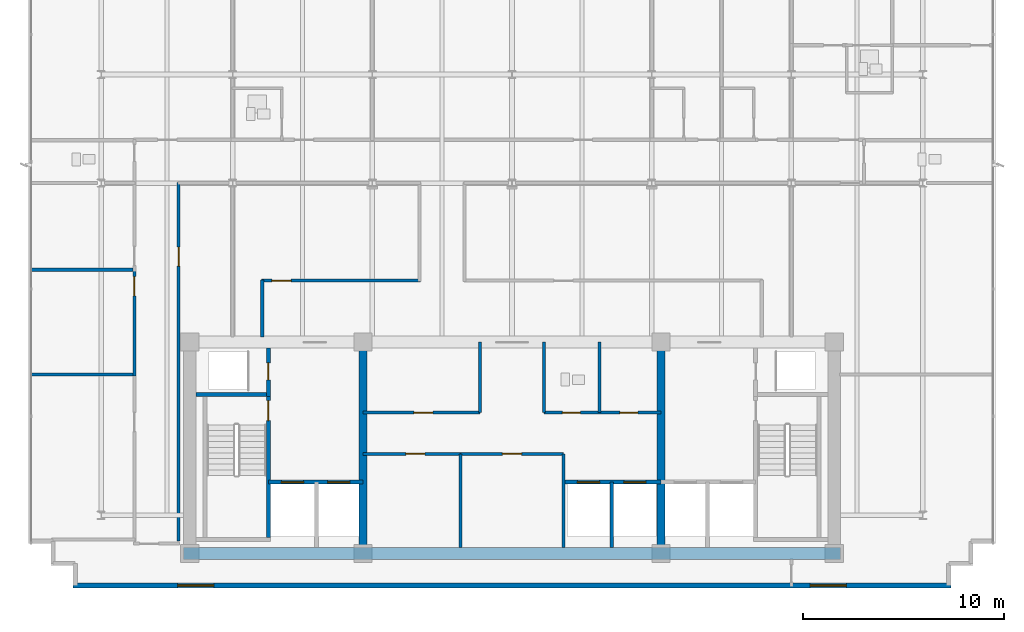
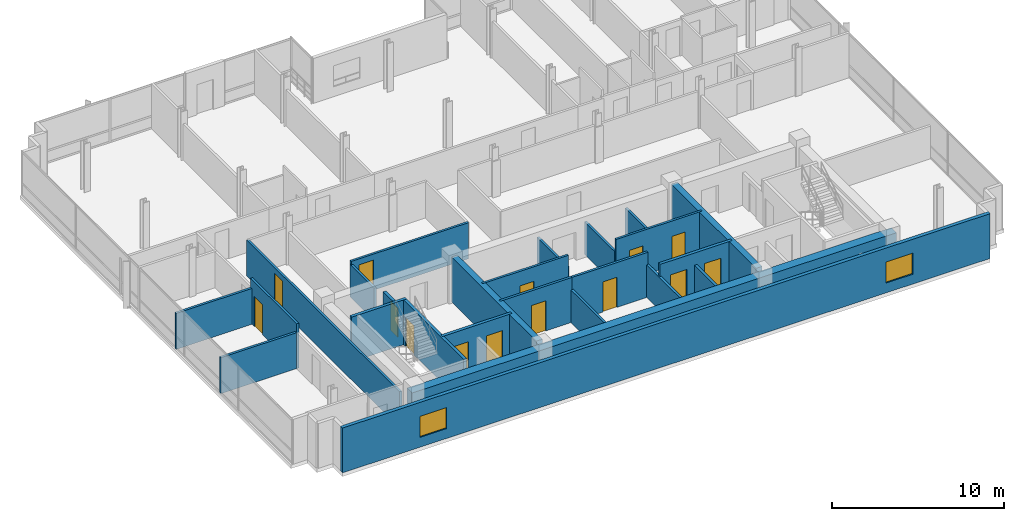
# One storey, part 11 of 17: 25 walls, 14 doors, 2 windows, 16 openings.
"""IFC4 building model written with IfcOpenShell, lengths in metres."""

from ifc_helpers import new_model, si_unit, direction, frame, frame_2d, origin, place, context, subcontext, project, spatial, rectangle, extrude, material, layer, layer_set, type_object, element, fill, save


model = new_model("IFC4")

# Units and contexts
model_context = context("Model", 3, precision=1e-05, world=origin(), true_north=direction((0.0, 1.0)))
body_context = subcontext(model_context, "Body", "Model", "MODEL_VIEW")
ifc_project = project(units=[si_unit("LENGTHUNIT", "METRE"), si_unit("AREAUNIT", "SQUARE_METRE"), si_unit("VOLUMEUNIT", "CUBIC_METRE"), si_unit("PLANEANGLEUNIT", "RADIAN"), si_unit("MASSUNIT", "GRAM", prefix="KILO")], contexts=[model_context])

# Site, building, storey
site_placement = place(None, origin())
site = spatial("IfcSite", under=ifc_project, at=site_placement, CompositionType="ELEMENT")
building_placement = place(site_placement, origin())
building = spatial("IfcBuilding", under=site, at=building_placement, Name="Solmavex Isthmus Hotel", CompositionType="ELEMENT")
storey_placement = place(building_placement, frame((0.0, 0.0, 266.10009765625)))
storey = spatial("IfcBuildingStorey", under=building, at=storey_placement, Name="L72", CompositionType="ELEMENT", Elevation=266.10009765625)

# Wall, openings, windows
ifc_material_1 = material(Name="Precast Concrete C40/50", Category="concrete")
ifc_layer_1 = layer(ifc_material_1, 0.25)
ifc_layer_set_1 = layer_set([ifc_layer_1], Name="Precast Concrete C40/50")
wall_type_1 = type_object("IfcWallType", Name="EW-TWR-250", PredefinedType="STANDARD", material=ifc_layer_set_1)
wall_1_placement = place(storey_placement, frame((-21.800048828125, -14.580078125, 0.0), z_axis=(0.0, 0.0, 1.0), x_axis=(1.0, 0.0, 0.0)))
wall_1 = element("IfcWall", 1, at=wall_1_placement, inside=storey, type_object=wall_type_1, Name="Tower Rear South Facade Wall L72", PredefinedType="STANDARD", context=body_context, shape_type="SweptSolid", body=[
    extrude(rectangle(XDim=43.60009765625, YDim=0.239990234375, at=frame_2d((21.800048828125, 0.0))), origin(), (0.0, 0.0, 1.0), 3.18994140625),
])
opening_1_placement = place(wall_1_placement, frame((5.2041015625, 0.0, 0.699951171875)))
opening_1 = element("IfcOpeningElement", 2, at=opening_1_placement, cuts=wall_1, Name="Opening WN-02", PredefinedType="OPENING", context=body_context, shape_type="SweptSolid", body=[
    extrude(rectangle(XDim=1.800048828125, YDim=1.5, at=frame_2d((0.89990234375, 0.75))), frame((0.0, 0.1298828125, 0.0), z_axis=(0.0, -1.0, 0.0), x_axis=(1.0, 0.0, 0.0)), (0.0, 0.0, 1.0), 0.260009765625),
])
opening_2_placement = place(wall_1_placement, frame((36.595947265625, 0.0, 0.699951171875)))
opening_2 = element("IfcOpeningElement", 3, at=opening_2_placement, cuts=wall_1, Name="Opening WN-02", PredefinedType="OPENING", context=body_context, shape_type="SweptSolid", body=[
    extrude(rectangle(XDim=1.800048828125, YDim=1.5, at=frame_2d((0.89990234375, 0.75))), frame((0.0, 0.1298828125, 0.0), z_axis=(0.0, -1.0, 0.0), x_axis=(1.0, 0.0, 0.0)), (0.0, 0.0, 1.0), 0.260009765625),
])
ifc_material_2 = material(Name="Clear low-E laminated glass", Category="glass")
window_type = type_object("IfcWindowType", Name="WIN-TWR-1800", PartitioningType="SINGLE_PANEL", PredefinedType="WINDOW", material=ifc_material_2)
window_1_placement = place(opening_1_placement, origin())
window_1 = element("IfcWindow", 4, at=window_1_placement, inside=storey, type_object=window_type, Name="South Facade Vision Window L72-S1", OverallHeight=1.5, OverallWidth=1.800048828125, PartitioningType="SINGLE_PANEL", PredefinedType="WINDOW", context=body_context, shape_type="SweptSolid", body=[
    extrude(rectangle(XDim=1.800048828125, YDim=1.5, at=frame_2d((0.89990234375, 0.75))), frame((0.0, 0.030029296875, 0.0), z_axis=(0.0, -1.0, 0.0), x_axis=(1.0, 0.0, 0.0)), (0.0, 0.0, 1.0), 0.06005859375),
])
fill(opening_1, window_1)
window_2_placement = place(opening_2_placement, origin())
window_2 = element("IfcWindow", 5, at=window_2_placement, inside=storey, type_object=window_type, Name="South Facade Vision Window L72-S2", OverallHeight=1.5, OverallWidth=1.800048828125, PartitioningType="SINGLE_PANEL", PredefinedType="WINDOW", context=body_context, shape_type="SweptSolid", body=[
    extrude(rectangle(XDim=1.800048828125, YDim=1.5, at=frame_2d((0.89990234375, 0.75))), frame((0.0, 0.030029296875, 0.0), z_axis=(0.0, -1.0, 0.0), x_axis=(1.0, 0.0, 0.0)), (0.0, 0.0, 1.0), 0.06005859375),
])
fill(opening_2, window_2)

# Wall, opening, door
ifc_material_3 = material(Name="Gypsum plasterboard lining", Category="gypsum")
ifc_layer_2 = layer(ifc_material_3, 0.159912109375)
ifc_layer_set_2 = layer_set([ifc_layer_2], Name="Gypsum plasterboard lining")
wall_type_2 = type_object("IfcWallType", Name="IW-COMP-160", PredefinedType="PARTITIONING", material=ifc_layer_set_2)
wall_2_placement = place(storey_placement, frame((-7.39990234375, -8.050048828125, 0.0), z_axis=(0.0, 0.0, 1.0), x_axis=(1.0, 0.0, 0.0)))
wall_2 = element("IfcWall", 6, at=wall_2_placement, inside=storey, type_object=wall_type_2, Name="Interior Partition Wall W-L72-REC-PLL-N", PredefinedType="PARTITIONING", context=body_context, shape_type="SweptSolid", body=[
    extrude(rectangle(XDim=4.849853515625, YDim=0.159912109375, at=frame_2d((2.4248046875, 0.0))), origin(), (0.0, 0.0, 1.0), 3.18994140625),
])
opening_3_placement = place(wall_2_placement, frame((2.125, 0.0, 0.0)))
opening_3 = element("IfcOpeningElement", 7, at=opening_3_placement, cuts=wall_2, Name="Opening ID-C095", PredefinedType="OPENING", context=body_context, shape_type="SweptSolid", body=[
    extrude(rectangle(XDim=0.949951171875, YDim=2.14990234375, at=frame_2d((0.47509765625, 1.074951171875))), frame((0.0, 0.08984375, 0.0), z_axis=(0.0, -1.0, 0.0), x_axis=(1.0, 0.0, 0.0)), (0.0, 0.0, 1.0), 0.179931640625),
])
ifc_material_4 = material(Name="Hardwood timber", Category="wood")
door_type_1 = type_object("IfcDoorType", Name="IDR-FD60-0950", OperationType="NOTDEFINED", PredefinedType="DOOR", material=ifc_material_4)
door_1_placement = place(opening_3_placement, origin())
door_1 = element("IfcDoor", 8, at=door_1_placement, inside=storey, type_object=door_type_1, Name="Linen Reserve Door L72", OperationType="SINGLE_SWING_LEFT", OverallHeight=2.14990234375, OverallWidth=0.949951171875, PredefinedType="DOOR", context=body_context, shape_type="SweptSolid", body=[
    extrude(rectangle(XDim=0.949951171875, YDim=2.14990234375, at=frame_2d((0.47509765625, 1.074951171875))), frame((0.0, 0.02490234375, 0.0), z_axis=(0.0, -1.0, 0.0), x_axis=(1.0, 0.0, 0.0)), (0.0, 0.0, 1.0), 0.050048828125),
])
fill(opening_3, door_1)

# Wall
wall_3_placement = place(storey_placement, frame((-2.550048828125, -12.699951171875, 0.0), z_axis=(0.0, 0.0, 1.0), x_axis=(0.0, 1.0, 0.0)))
element("IfcWall", 9, at=wall_3_placement, inside=storey, type_object=wall_type_2, Name="Interior Partition Wall W-L72-REC-PLL-E", PredefinedType="PARTITIONING", context=body_context, shape_type="SweptSolid", body=[
    extrude(rectangle(XDim=4.64990234375, YDim=0.159912109375, at=frame_2d((2.324951171875, 0.0))), origin(), (0.0, 0.0, 1.0), 2.324951171875),
])

# Wall, opening, door
wall_4_placement = place(storey_placement, frame((-2.550048828125, -8.050048828125, 0.0), z_axis=(0.0, 0.0, 1.0), x_axis=(1.0, 0.0, 0.0)))
wall_4 = element("IfcWall", 10, at=wall_4_placement, inside=storey, type_object=wall_type_2, Name="Interior Partition Wall W-L72-REC-PLM-N", PredefinedType="PARTITIONING", context=body_context, shape_type="SweptSolid", body=[
    extrude(rectangle(XDim=5.10009765625, YDim=0.159912109375, at=frame_2d((2.550048828125, 0.0))), origin(), (0.0, 0.0, 1.0), 3.18994140625),
])
opening_4_placement = place(wall_4_placement, frame((2.074951171875, 0.0, 0.0)))
opening_4 = element("IfcOpeningElement", 11, at=opening_4_placement, cuts=wall_4, Name="Opening ID-C095", PredefinedType="OPENING", context=body_context, shape_type="SweptSolid", body=[
    extrude(rectangle(XDim=0.949951171875, YDim=2.14990234375, at=frame_2d((0.47509765625, 1.074951171875))), frame((0.0, 0.08984375, 0.0), z_axis=(0.0, -1.0, 0.0), x_axis=(1.0, 0.0, 0.0)), (0.0, 0.0, 1.0), 0.179931640625),
])
door_2_placement = place(opening_4_placement, origin())
door_2 = element("IfcDoor", 12, at=door_2_placement, inside=storey, type_object=door_type_1, Name="Butler Store Door L72", OperationType="SINGLE_SWING_RIGHT", OverallHeight=2.14990234375, OverallWidth=0.949951171875, PredefinedType="DOOR", context=body_context, shape_type="SweptSolid", body=[
    extrude(rectangle(XDim=0.949951171875, YDim=2.14990234375, at=frame_2d((0.47509765625, 1.074951171875))), frame((0.0, 0.02490234375, 0.0), z_axis=(0.0, -1.0, 0.0), x_axis=(1.0, 0.0, 0.0)), (0.0, 0.0, 1.0), 0.050048828125),
])
fill(opening_4, door_2)

# Walls
wall_5_placement = place(storey_placement, frame((2.550048828125, -12.699951171875, 0.0), z_axis=(0.0, 0.0, 1.0), x_axis=(0.0, 1.0, 0.0)))
element("IfcWall", 13, at=wall_5_placement, inside=storey, type_object=wall_type_2, Name="Interior Partition Wall W-L72-REC-PLM-E", PredefinedType="PARTITIONING", context=body_context, shape_type="SweptSolid", body=[
    extrude(rectangle(XDim=4.64990234375, YDim=0.159912109375, at=frame_2d((2.324951171875, 0.0))), origin(), (0.0, 0.0, 1.0), 2.324951171875),
])
for number, where, z_axis, x_axis, name in (
    (14, (-18.7099609375, 1.10009765625, 0.0), (0.0, 0.0, 1.0), (-1.0, 0.0, 0.0), "Interior Partition Wall W-L72-P067"),
    (15, (-18.7099609375, -4.10009765625, 0.0), (0.0, 0.0, 1.0), (-1.0, 0.0, 0.0), "Interior Partition Wall W-L72-P069"),
):
    element("IfcWall", number, at=place(storey_placement, frame(where, z_axis=z_axis, x_axis=x_axis)), inside=storey, type_object=wall_type_2, Name=name, PredefinedType="PARTITIONING", context=body_context, shape_type="SweptSolid", body=[
        extrude(rectangle(XDim=5.2099609375, YDim=0.159912109375, at=frame_2d((2.60498046875, 0.0))), origin(), (0.0, 0.0, 1.0), 2.557373046875),
    ])

# Wall, opening, door
ifc_layer_3 = layer(ifc_material_3, 0.14990234375)
ifc_layer_set_3 = layer_set([ifc_layer_3], Name="Gypsum plasterboard lining")
wall_type_3 = type_object("IfcWallType", Name="IW-CORR-150", PredefinedType="PARTITIONING", material=ifc_layer_set_3)
wall_6_placement = place(storey_placement, frame((-7.39990234375, -6.0, 0.0), z_axis=(0.0, 0.0, 1.0), x_axis=(1.0, 0.0, 0.0)))
wall_6 = element("IfcWall", 16, at=wall_6_placement, inside=storey, type_object=wall_type_3, Name="Interior Partition Wall W-L72-BOH-WS", PredefinedType="PARTITIONING", context=body_context, shape_type="SweptSolid", body=[
    extrude(rectangle(XDim=5.7998046875, YDim=0.14990234375, at=frame_2d((2.89990234375, 0.0))), origin(), (0.0, 0.0, 1.0), 3.18994140625),
])
opening_5_placement = place(wall_6_placement, frame((2.52490234375, 0.0, 0.0)))
opening_5 = element("IfcOpeningElement", 17, at=opening_5_placement, cuts=wall_6, Name="Opening ID-C095", PredefinedType="OPENING", context=body_context, shape_type="SweptSolid", body=[
    extrude(rectangle(XDim=0.949951171875, YDim=2.14990234375, at=frame_2d((0.47509765625, 1.074951171875))), frame((0.0, 0.0849609375, 0.0), z_axis=(0.0, -1.0, 0.0), x_axis=(1.0, 0.0, 0.0)), (0.0, 0.0, 1.0), 0.169921875),
])
door_3_placement = place(opening_5_placement, frame((0.949951171875, 0.0, 0.0), z_axis=(0.0, 0.0, 1.0), x_axis=(-1.0, 0.0, 0.0)))
door_3 = element("IfcDoor", 18, at=door_3_placement, inside=storey, type_object=door_type_1, Name="Housekeeping Room Door L72", OperationType="SINGLE_SWING_LEFT", OverallHeight=2.14990234375, OverallWidth=0.949951171875, PredefinedType="DOOR", context=body_context, shape_type="SweptSolid", body=[
    extrude(rectangle(XDim=0.949951171875, YDim=2.14990234375, at=frame_2d((0.47509765625, 1.074951171875))), frame((0.0, 0.02490234375, 0.0), z_axis=(0.0, -1.0, 0.0), x_axis=(1.0, 0.0, 0.0)), (0.0, 0.0, 1.0), 0.050048828125),
])
fill(opening_5, door_3)

# Wall
wall_7_placement = place(storey_placement, frame((-1.60009765625, -6.0, 0.0), z_axis=(0.0, 0.0, 1.0), x_axis=(0.0, 1.0, 0.0)))
element("IfcWall", 19, at=wall_7_placement, inside=storey, type_object=wall_type_3, Name="Interior Partition Wall W-L72-BOH-WE", PredefinedType="PARTITIONING", context=body_context, shape_type="SweptSolid", body=[
    extrude(rectangle(XDim=3.5, YDim=0.14990234375, at=frame_2d((1.75, 0.0))), origin(), (0.0, 0.0, 1.0), 2.324951171875),
])

# Wall, openings, doors
wall_8_placement = place(storey_placement, frame((1.60009765625, -6.0, 0.0), z_axis=(0.0, 0.0, 1.0), x_axis=(1.0, 0.0, 0.0)))
wall_8 = element("IfcWall", 20, at=wall_8_placement, inside=storey, type_object=wall_type_3, Name="Interior Partition Wall W-L72-BOH-ES", PredefinedType="PARTITIONING", context=body_context, shape_type="SweptSolid", body=[
    extrude(rectangle(XDim=5.7998046875, YDim=0.14990234375, at=frame_2d((2.89990234375, 0.0))), origin(), (0.0, 0.0, 1.0), 3.18994140625),
])
opening_6_placement = place(wall_8_placement, frame((0.89990234375, 0.0, 0.0)))
opening_6 = element("IfcOpeningElement", 21, at=opening_6_placement, cuts=wall_8, Name="Opening ID-C090", PredefinedType="OPENING", context=body_context, shape_type="SweptSolid", body=[
    extrude(rectangle(XDim=0.89990234375, YDim=2.10009765625, at=frame_2d((0.449951171875, 1.050048828125))), frame((0.0, 0.0849609375, 0.0), z_axis=(0.0, -1.0, 0.0), x_axis=(1.0, 0.0, 0.0)), (0.0, 0.0, 1.0), 0.169921875),
])
opening_7_placement = place(wall_8_placement, frame((3.75, 0.0, 0.0)))
opening_7 = element("IfcOpeningElement", 22, at=opening_7_placement, cuts=wall_8, Name="Opening ID-C090", PredefinedType="OPENING", context=body_context, shape_type="SweptSolid", body=[
    extrude(rectangle(XDim=0.89990234375, YDim=2.10009765625, at=frame_2d((0.449951171875, 1.050048828125))), frame((0.0, 0.0849609375, 0.0), z_axis=(0.0, -1.0, 0.0), x_axis=(1.0, 0.0, 0.0)), (0.0, 0.0, 1.0), 0.169921875),
])
door_type_2 = type_object("IfcDoorType", Name="IDR-FD60-0900", OperationType="NOTDEFINED", PredefinedType="DOOR", material=ifc_material_4)
door_4_placement = place(opening_6_placement, frame((0.89990234375, 0.0, 0.0), z_axis=(0.0, 0.0, 1.0), x_axis=(-1.0, 0.0, 0.0)))
door_4 = element("IfcDoor", 23, at=door_4_placement, inside=storey, type_object=door_type_2, Name="Staff WC Door L72", OperationType="SINGLE_SWING_RIGHT", OverallHeight=2.10009765625, OverallWidth=0.89990234375, PredefinedType="DOOR", context=body_context, shape_type="SweptSolid", body=[
    extrude(rectangle(XDim=0.89990234375, YDim=2.10009765625, at=frame_2d((0.449951171875, 1.050048828125))), frame((0.0, 0.02490234375, 0.0), z_axis=(0.0, -1.0, 0.0), x_axis=(1.0, 0.0, 0.0)), (0.0, 0.0, 1.0), 0.050048828125),
])
fill(opening_6, door_4)
door_5_placement = place(opening_7_placement, frame((0.89990234375, 0.0, 0.0), z_axis=(0.0, 0.0, 1.0), x_axis=(-1.0, 0.0, 0.0)))
door_5 = element("IfcDoor", 24, at=door_5_placement, inside=storey, type_object=door_type_2, Name="Pantry Door L72", OperationType="SINGLE_SWING_LEFT", OverallHeight=2.10009765625, OverallWidth=0.89990234375, PredefinedType="DOOR", context=body_context, shape_type="SweptSolid", body=[
    extrude(rectangle(XDim=0.89990234375, YDim=2.10009765625, at=frame_2d((0.449951171875, 1.050048828125))), frame((0.0, 0.02490234375, 0.0), z_axis=(0.0, -1.0, 0.0), x_axis=(1.0, 0.0, 0.0)), (0.0, 0.0, 1.0), 0.050048828125),
])
fill(opening_7, door_5)

# Wall
wall_9_placement = place(storey_placement, frame((1.60009765625, -6.0, 0.0), z_axis=(0.0, 0.0, 1.0), x_axis=(0.0, 1.0, 0.0)))
element("IfcWall", 25, at=wall_9_placement, inside=storey, type_object=wall_type_3, Name="Interior Partition Wall W-L72-BOH-EW", PredefinedType="PARTITIONING", context=body_context, shape_type="SweptSolid", body=[
    extrude(rectangle(XDim=3.5, YDim=0.14990234375, at=frame_2d((1.75, 0.0))), origin(), (0.0, 0.0, 1.0), 2.324951171875),
])

# Wall, opening, door
wall_10_placement = place(storey_placement, frame((-16.550048828125, 5.43994140625, 0.0), z_axis=(0.0, 0.0, 1.0), x_axis=(0.0, -1.0, 0.0)))
wall_10 = element("IfcWall", 26, at=wall_10_placement, inside=storey, type_object=wall_type_3, Name="Interior Partition Wall W-L72-P014", PredefinedType="PARTITIONING", context=body_context, shape_type="SweptSolid", body=[
    extrude(rectangle(XDim=17.822021484375, YDim=0.14990234375, at=frame_2d((8.9111328125, 0.0))), origin(), (0.0, 0.0, 1.0), 2.557373046875),
])
opening_8_placement = place(wall_10_placement, frame((3.219970703125, 0.0, 0.0)))
opening_8 = element("IfcOpeningElement", 27, at=opening_8_placement, cuts=wall_10, Name="Opening ID-C095", PredefinedType="OPENING", context=body_context, shape_type="SweptSolid", body=[
    extrude(rectangle(XDim=0.949951171875, YDim=2.14990234375, at=frame_2d((0.47509765625, 1.074951171875))), frame((0.0, 0.0849609375, 0.0), z_axis=(0.0, -1.0, 0.0), x_axis=(1.0, 0.0, 0.0)), (0.0, 0.0, 1.0), 0.169921875),
])
door_6_placement = place(opening_8_placement, frame((0.949951171875, 0.0, 0.0), z_axis=(0.0, 0.0, 1.0), x_axis=(-1.0, 0.0, 0.0)))
door_6 = element("IfcDoor", 28, at=door_6_placement, inside=storey, type_object=door_type_1, Name="Executive Boardroom Door L72-16", OperationType="SINGLE_SWING_RIGHT", OverallHeight=2.14990234375, OverallWidth=0.949951171875, PredefinedType="DOOR", context=body_context, shape_type="SweptSolid", body=[
    extrude(rectangle(XDim=0.949951171875, YDim=2.14990234375, at=frame_2d((0.47509765625, 1.074951171875))), frame((0.0, 0.02490234375, 0.0), z_axis=(0.0, -1.0, 0.0), x_axis=(1.0, 0.0, 0.0)), (0.0, 0.0, 1.0), 0.050048828125),
])
fill(opening_8, door_6)

wall_11_placement = place(storey_placement, frame((-18.75, -4.181884765625, 0.0), z_axis=(0.0, 0.0, 1.0), x_axis=(0.0, 1.0, 0.0)))
wall_11 = element("IfcWall", 29, at=wall_11_placement, inside=storey, type_object=wall_type_3, Name="Interior Partition Wall W-L72-P015", PredefinedType="PARTITIONING", context=body_context, shape_type="SweptSolid", body=[
    extrude(rectangle(XDim=5.36376953125, YDim=0.14990234375, at=frame_2d((2.681884765625, 0.0))), origin(), (0.0, 0.0, 1.0), 3.18994140625),
])
opening_9_placement = place(wall_11_placement, frame((3.982421875, 0.0, 0.0)))
opening_9 = element("IfcOpeningElement", 30, at=opening_9_placement, cuts=wall_11, Name="Opening ID-C095", PredefinedType="OPENING", context=body_context, shape_type="SweptSolid", body=[
    extrude(rectangle(XDim=0.949951171875, YDim=2.14990234375, at=frame_2d((0.47509765625, 1.074951171875))), frame((0.0, 0.0849609375, 0.0), z_axis=(0.0, -1.0, 0.0), x_axis=(1.0, 0.0, 0.0)), (0.0, 0.0, 1.0), 0.169921875),
])
door_7_placement = place(opening_9_placement, origin())
door_7 = element("IfcDoor", 31, at=door_7_placement, inside=storey, type_object=door_type_1, Name="Reading Library Door L72-17", OperationType="SINGLE_SWING_LEFT", OverallHeight=2.14990234375, OverallWidth=0.949951171875, PredefinedType="DOOR", context=body_context, shape_type="SweptSolid", body=[
    extrude(rectangle(XDim=0.949951171875, YDim=2.14990234375, at=frame_2d((0.47509765625, 1.074951171875))), frame((0.0, 0.02490234375, 0.0), z_axis=(0.0, -1.0, 0.0), x_axis=(1.0, 0.0, 0.0)), (0.0, 0.0, 1.0), 0.050048828125),
])
fill(opening_9, door_7)

# Wall
wall_12_placement = place(storey_placement, frame((-12.39990234375, -2.239990234375, 0.0), z_axis=(0.0, 0.0, 1.0), x_axis=(0.0, 1.0, 0.0)))
element("IfcWall", 32, at=wall_12_placement, inside=storey, type_object=wall_type_3, Name="Interior Partition Wall W-L72-P017", PredefinedType="PARTITIONING", context=body_context, shape_type="SweptSolid", body=[
    extrude(rectangle(XDim=2.830078125, YDim=0.14990234375, at=frame_2d((1.4150390625, 0.0))), origin(), (0.0, 0.0, 1.0), 2.324951171875),
])

# Wall, opening, door
wall_13_placement = place(storey_placement, frame((-12.43994140625, 0.550048828125, 0.0), z_axis=(0.0, 0.0, 1.0), x_axis=(1.0, 0.0, 0.0)))
wall_13 = element("IfcWall", 33, at=wall_13_placement, inside=storey, type_object=wall_type_3, Name="Interior Partition Wall W-L72-P018", PredefinedType="PARTITIONING", context=body_context, shape_type="SweptSolid", body=[
    extrude(rectangle(XDim=7.891845703125, YDim=0.14990234375, at=frame_2d((3.94580078125, 0.0))), origin(), (0.0, 0.0, 1.0), 2.572265625),
])
opening_10_placement = place(wall_13_placement, frame((0.51806640625, 0.0, 0.0)))
opening_10 = element("IfcOpeningElement", 34, at=opening_10_placement, cuts=wall_13, Name="Opening ID-C095", PredefinedType="OPENING", context=body_context, shape_type="SweptSolid", body=[
    extrude(rectangle(XDim=0.949951171875, YDim=2.14990234375, at=frame_2d((0.47509765625, 1.074951171875))), frame((0.0, 0.0849609375, 0.0), z_axis=(0.0, -1.0, 0.0), x_axis=(1.0, 0.0, 0.0)), (0.0, 0.0, 1.0), 0.169921875),
])
door_8_placement = place(opening_10_placement, origin())
door_8 = element("IfcDoor", 35, at=door_8_placement, inside=storey, type_object=door_type_1, Name="Reading Library Door L72-19", OperationType="SINGLE_SWING_LEFT", OverallHeight=2.14990234375, OverallWidth=0.949951171875, PredefinedType="DOOR", context=body_context, shape_type="SweptSolid", body=[
    extrude(rectangle(XDim=0.949951171875, YDim=2.14990234375, at=frame_2d((0.47509765625, 1.074951171875))), frame((0.0, 0.02490234375, 0.0), z_axis=(0.0, -1.0, 0.0), x_axis=(1.0, 0.0, 0.0)), (0.0, 0.0, 1.0), 0.050048828125),
])
fill(opening_10, door_8)

# Walls
ifc_layer_4 = layer(ifc_material_3, 0.1201171875)
ifc_layer_set_4 = layer_set([ifc_layer_4], Name="Gypsum plasterboard lining")
wall_type_4 = type_object("IfcWallType", Name="IW-PART-120", PredefinedType="PARTITIONING", material=ifc_layer_set_4)
wall_14_placement = place(storey_placement, frame((4.35009765625, -6.0, 0.0), z_axis=(0.0, 0.0, 1.0), x_axis=(0.0, 1.0, 0.0)))
element("IfcWall", 36, at=wall_14_placement, inside=storey, type_object=wall_type_4, Name="Interior Partition Wall W-L72-BOH-EM0", PredefinedType="PARTITIONING", context=body_context, shape_type="SweptSolid", body=[
    extrude(rectangle(XDim=3.5, YDim=0.14990234375, at=frame_2d((1.75, 0.0))), origin(), (0.0, 0.0, 1.0), 2.324951171875),
])
ifc_material_5 = material(Name="Concrete C40/50", Category="concrete")
ifc_layer_5 = layer(ifc_material_5, 0.179931640625)
ifc_layer_set_5 = layer_set([ifc_layer_5], Name="Concrete C40/50")
wall_type_5 = type_object("IfcWallType", Name="IW-SHAFT-180", PredefinedType="PARTITIONING", material=ifc_layer_set_5)
wall_15_placement = place(storey_placement, frame((4.949951171875, -12.699951171875, 0.0), z_axis=(0.0, 0.0, 1.0), x_axis=(0.0, 1.0, 0.0)))
element("IfcWall", 37, at=wall_15_placement, inside=storey, type_object=wall_type_5, Name="Interior Partition Wall W-L72-SH-PLH-M", PredefinedType="PARTITIONING", context=body_context, shape_type="SweptSolid", body=[
    extrude(rectangle(XDim=3.25, YDim=0.179931640625, at=frame_2d((1.625, 0.0))), origin(), (0.0, 0.0, 1.0), 2.324951171875),
])

# Wall, opening, door
ifc_layer_6 = layer(ifc_material_5, 0.199951171875)
ifc_layer_set_6 = layer_set([ifc_layer_6], Name="Concrete C40/50")
wall_type_6 = type_object("IfcWallType", Name="IW-SHAFT-200", PredefinedType="PARTITIONING", material=ifc_layer_set_6)
wall_16_placement = place(storey_placement, frame((-12.10009765625, -5.199951171875, 0.0), z_axis=(0.0, 0.0, 1.0), x_axis=(0.0, 1.0, 0.0)))
wall_16 = element("IfcWall", 38, at=wall_16_placement, inside=storey, type_object=wall_type_6, Name="Interior Partition Wall W-L72-RSW-E", PredefinedType="PARTITIONING", context=body_context, shape_type="SweptSolid", body=[
    extrude(rectangle(XDim=2.39990234375, YDim=0.199951171875, at=frame_2d((1.199951171875, 0.0))), origin(), (0.0, 0.0, 1.0), 2.324951171875),
])
opening_11_placement = place(wall_16_placement, frame((0.824951171875, 0.0, 0.0)))
opening_11 = element("IfcOpeningElement", 39, at=opening_11_placement, cuts=wall_16, Name="Opening ID-R085", PredefinedType="OPENING", context=body_context, shape_type="SweptSolid", body=[
    extrude(rectangle(XDim=0.85009765625, YDim=2.050048828125, at=frame_2d((0.425048828125, 1.02490234375))), frame((0.0, 0.10986328125, 0.0), z_axis=(0.0, -1.0, 0.0), x_axis=(1.0, 0.0, 0.0)), (0.0, 0.0, 1.0), 0.219970703125),
])
ifc_material_6 = material(Name="Steel ASTM A500 Grade C", Category="steel")
door_type_3 = type_object("IfcDoorType", Name="IDR-FD60-0850", OperationType="NOTDEFINED", PredefinedType="DOOR", material=ifc_material_6)
door_9_placement = place(opening_11_placement, origin())
door_9 = element("IfcDoor", 40, at=door_9_placement, inside=storey, type_object=door_type_3, Name="Electrical Riser Door L72", OperationType="SINGLE_SWING_RIGHT", OverallHeight=2.050048828125, OverallWidth=0.85009765625, PredefinedType="DOOR", context=body_context, shape_type="SweptSolid", body=[
    extrude(rectangle(XDim=0.85009765625, YDim=2.050048828125, at=frame_2d((0.425048828125, 1.02490234375))), frame((0.0, 0.02490234375, 0.0), z_axis=(0.0, -1.0, 0.0), x_axis=(1.0, 0.0, 0.0)), (0.0, 0.0, 1.0), 0.050048828125),
])
fill(opening_11, door_9)

# Wall, openings, doors
wall_17_placement = place(storey_placement, frame((-12.10009765625, -9.449951171875, 0.0), z_axis=(0.0, 0.0, 1.0), x_axis=(1.0, 0.0, 0.0)))
wall_17 = element("IfcWall", 41, at=wall_17_placement, inside=storey, type_object=wall_type_6, Name="Interior Partition Wall W-L72-FFLW-S", PredefinedType="PARTITIONING", context=body_context, shape_type="SweptSolid", body=[
    extrude(rectangle(XDim=4.7001953125, YDim=0.199951171875, at=frame_2d((2.35009765625, 0.0))), origin(), (0.0, 0.0, 1.0), 3.18994140625),
])
opening_12_placement = place(wall_17_placement, frame((0.64990234375, 0.0, 0.0)))
opening_12 = element("IfcOpeningElement", 42, at=opening_12_placement, cuts=wall_17, Name="Opening LD-FF", PredefinedType="OPENING", context=body_context, shape_type="SweptSolid", body=[
    extrude(rectangle(XDim=1.10009765625, YDim=2.199951171875, at=frame_2d((0.550048828125, 1.10009765625))), frame((0.0, 0.10986328125, 0.0), z_axis=(0.0, -1.0, 0.0), x_axis=(1.0, 0.0, 0.0)), (0.0, 0.0, 1.0), 0.219970703125),
])
opening_13_placement = place(wall_17_placement, frame((2.949951171875, 0.0, 0.0)))
opening_13 = element("IfcOpeningElement", 43, at=opening_13_placement, cuts=wall_17, Name="Opening LD-SV", PredefinedType="OPENING", context=body_context, shape_type="SweptSolid", body=[
    extrude(rectangle(XDim=1.10009765625, YDim=2.199951171875, at=frame_2d((0.550048828125, 1.10009765625))), frame((0.0, 0.10986328125, 0.0), z_axis=(0.0, -1.0, 0.0), x_axis=(1.0, 0.0, 0.0)), (0.0, 0.0, 1.0), 0.219970703125),
])
ifc_material_7 = material(Name="Stainless steel 316", Category="steel")
door_type_4 = type_object("IfcDoorType", Name="LDR-FF-1100", OperationType="NOTDEFINED", PredefinedType="DOOR", material=ifc_material_7)
door_10_placement = place(opening_12_placement, origin())
door_10 = element("IfcDoor", 44, at=door_10_placement, inside=storey, type_object=door_type_4, Name="Lift Landing Door FFL-1 L72", OperationType="SLIDING_TO_LEFT", OverallHeight=2.199951171875, OverallWidth=1.10009765625, PredefinedType="DOOR", context=body_context, shape_type="SweptSolid", body=[
    extrude(rectangle(XDim=1.10009765625, YDim=2.199951171875, at=frame_2d((0.550048828125, 1.10009765625))), frame((0.0, 0.02490234375, 0.0), z_axis=(0.0, -1.0, 0.0), x_axis=(1.0, 0.0, 0.0)), (0.0, 0.0, 1.0), 0.050048828125),
])
fill(opening_12, door_10)
door_type_5 = type_object("IfcDoorType", Name="LDR-SV-1100", OperationType="NOTDEFINED", PredefinedType="DOOR", material=ifc_material_7)
door_11_placement = place(opening_13_placement, origin())
door_11 = element("IfcDoor", 45, at=door_11_placement, inside=storey, type_object=door_type_5, Name="Lift Landing Door SVL-1 L72", OperationType="SLIDING_TO_RIGHT", OverallHeight=2.199951171875, OverallWidth=1.10009765625, PredefinedType="DOOR", context=body_context, shape_type="SweptSolid", body=[
    extrude(rectangle(XDim=1.10009765625, YDim=2.199951171875, at=frame_2d((0.550048828125, 1.10009765625))), frame((0.0, 0.02490234375, 0.0), z_axis=(0.0, -1.0, 0.0), x_axis=(1.0, 0.0, 0.0)), (0.0, 0.0, 1.0), 0.050048828125),
])
fill(opening_13, door_11)

wall_18_placement = place(storey_placement, frame((2.550048828125, -9.449951171875, 0.0), z_axis=(0.0, 0.0, 1.0), x_axis=(1.0, 0.0, 0.0)))
wall_18 = element("IfcWall", 46, at=wall_18_placement, inside=storey, type_object=wall_type_6, Name="Interior Partition Wall W-L72-SH-PLH", PredefinedType="PARTITIONING", context=body_context, shape_type="SweptSolid", body=[
    extrude(rectangle(XDim=4.849853515625, YDim=0.199951171875, at=frame_2d((2.4248046875, 0.0))), origin(), (0.0, 0.0, 1.0), 3.18994140625),
])
opening_14_placement = place(wall_18_placement, frame((0.699951171875, 0.0, 0.0)))
opening_14 = element("IfcOpeningElement", 47, at=opening_14_placement, cuts=wall_18, Name="Opening LD-PL", PredefinedType="OPENING", context=body_context, shape_type="SweptSolid", body=[
    extrude(rectangle(XDim=1.10009765625, YDim=2.199951171875, at=frame_2d((0.550048828125, 1.10009765625))), frame((0.0, 0.10986328125, 0.0), z_axis=(0.0, -1.0, 0.0), x_axis=(1.0, 0.0, 0.0)), (0.0, 0.0, 1.0), 0.219970703125),
])
opening_15_placement = place(wall_18_placement, frame((3.0, 0.0, 0.0)))
opening_15 = element("IfcOpeningElement", 48, at=opening_15_placement, cuts=wall_18, Name="Opening LD-PL", PredefinedType="OPENING", context=body_context, shape_type="SweptSolid", body=[
    extrude(rectangle(XDim=1.10009765625, YDim=2.199951171875, at=frame_2d((0.550048828125, 1.10009765625))), frame((0.0, 0.10986328125, 0.0), z_axis=(0.0, -1.0, 0.0), x_axis=(1.0, 0.0, 0.0)), (0.0, 0.0, 1.0), 0.219970703125),
])
door_type_6 = type_object("IfcDoorType", Name="LDR-PL-1100", OperationType="NOTDEFINED", PredefinedType="DOOR", material=ifc_material_7)
door_12_placement = place(opening_14_placement, origin())
door_12 = element("IfcDoor", 49, at=door_12_placement, inside=storey, type_object=door_type_6, Name="Lift Landing Door PLH1 L72", OperationType="SLIDING_TO_LEFT", OverallHeight=2.199951171875, OverallWidth=1.10009765625, PredefinedType="DOOR", context=body_context, shape_type="SweptSolid", body=[
    extrude(rectangle(XDim=1.10009765625, YDim=2.199951171875, at=frame_2d((0.550048828125, 1.10009765625))), frame((0.0, 0.02490234375, 0.0), z_axis=(0.0, -1.0, 0.0), x_axis=(1.0, 0.0, 0.0)), (0.0, 0.0, 1.0), 0.050048828125),
])
fill(opening_14, door_12)
door_13_placement = place(opening_15_placement, origin())
door_13 = element("IfcDoor", 50, at=door_13_placement, inside=storey, type_object=door_type_6, Name="Lift Landing Door PLH2 L72", OperationType="SLIDING_TO_LEFT", OverallHeight=2.199951171875, OverallWidth=1.10009765625, PredefinedType="DOOR", context=body_context, shape_type="SweptSolid", body=[
    extrude(rectangle(XDim=1.10009765625, YDim=2.199951171875, at=frame_2d((0.550048828125, 1.10009765625))), frame((0.0, 0.02490234375, 0.0), z_axis=(0.0, -1.0, 0.0), x_axis=(1.0, 0.0, 0.0)), (0.0, 0.0, 1.0), 0.050048828125),
])
fill(opening_15, door_13)

# Walls
ifc_material_8 = material(Name="Concrete C50/60", Category="concrete")
ifc_layer_7 = layer(ifc_material_8, 0.39990234375)
ifc_layer_set_7 = layer_set([ifc_layer_7], Name="Concrete C50/60")
wall_type_7 = type_object("IfcWallType", Name="WALL-CW-400H", PredefinedType="SHEAR", material=ifc_layer_set_7)
for number, where, z_axis, x_axis, name in (
    (51, (-7.39990234375, -12.699951171875, 0.0), (0.0, 0.0, 1.0), (0.0, 1.0, 0.0), "Core Cross Shear Wall C1 L72"),
    (52, (7.39990234375, -12.699951171875, 0.0), (0.0, 0.0, 1.0), (0.0, 1.0, 0.0), "Core Cross Shear Wall C2 L72"),
):
    element("IfcWall", number, at=place(storey_placement, frame(where, z_axis=z_axis, x_axis=x_axis)), inside=storey, type_object=wall_type_7, Name=name, PredefinedType="SHEAR", context=body_context, shape_type="SweptSolid", body=[
        extrude(rectangle(XDim=9.89990234375, YDim=0.39990234375, at=frame_2d((4.949951171875, 0.0))), origin(), (0.0, 0.0, 1.0), 3.18994140625),
    ])
ifc_layer_8 = layer(ifc_material_8, 0.60009765625)
ifc_layer_set_8 = layer_set([ifc_layer_8], Name="Concrete C50/60")
wall_type_8 = type_object("IfcWallType", Name="WALL-CW-600", PredefinedType="SHEAR", material=ifc_layer_set_8)
wall_19_placement = place(storey_placement, frame((-16.300048828125, -13.0, 0.0), z_axis=(0.0, 0.0, 1.0), x_axis=(1.0, 0.0, 0.0)))
element("IfcWall", 53, at=wall_19_placement, inside=storey, type_object=wall_type_8, Name="Core Shear Wall South L72", PredefinedType="SHEAR", context=body_context, shape_type="SweptSolid", body=[
    extrude(rectangle(XDim=32.60009765625, YDim=0.60009765625, at=frame_2d((16.300048828125, 0.0))), origin(), (0.0, 0.0, 1.0), 2.909912109375),
])
ifc_layer_9 = layer(ifc_material_5, 0.199951171875)
ifc_layer_set_9 = layer_set([ifc_layer_9], Name="Concrete C40/50")
wall_type_9 = type_object("IfcWallType", Name="WALL-SW-200", PredefinedType="SOLIDWALL", material=ifc_layer_set_9)
wall_20_placement = place(storey_placement, frame((-15.699951171875, -5.10009765625, 0.0), z_axis=(0.0, 0.0, 1.0), x_axis=(1.0, 0.0, 0.0)))
element("IfcWall", 54, at=wall_20_placement, inside=storey, type_object=wall_type_9, Name="Stairwell Structural Wall SW-L72-ST1-N", PredefinedType="SOLIDWALL", context=body_context, shape_type="SweptSolid", body=[
    extrude(rectangle(XDim=3.699951171875, YDim=0.199951171875, at=frame_2d((1.85009765625, 0.0))), origin(), (0.0, 0.0, 1.0), 3.18994140625),
])

# Wall, opening, door
wall_21_placement = place(storey_placement, frame((-12.10009765625, -12.199951171875, 0.0), z_axis=(0.0, 0.0, 1.0), x_axis=(0.0, 1.0, 0.0)))
wall_21 = element("IfcWall", 55, at=wall_21_placement, inside=storey, type_object=wall_type_9, Name="Stairwell Structural Wall SW-L72-ST1-E", PredefinedType="SOLIDWALL", context=body_context, shape_type="SweptSolid", body=[
    extrude(rectangle(XDim=7.0, YDim=0.199951171875, at=frame_2d((3.5, 0.0))), origin(), (0.0, 0.0, 1.0), 3.18994140625),
])
opening_16_placement = place(wall_21_placement, frame((5.800048828125, 0.0, 0.0)))
opening_16 = element("IfcOpeningElement", 56, at=opening_16_placement, cuts=wall_21, Name="Opening ID-F100", PredefinedType="OPENING", context=body_context, shape_type="SweptSolid", body=[
    extrude(rectangle(XDim=1.0, YDim=2.10009765625, at=frame_2d((0.5, 1.050048828125))), frame((0.0, 0.10986328125, 0.0), z_axis=(0.0, -1.0, 0.0), x_axis=(1.0, 0.0, 0.0)), (0.0, 0.0, 1.0), 0.219970703125),
])
door_type_7 = type_object("IfcDoorType", Name="IDR-FD90-1000", OperationType="NOTDEFINED", PredefinedType="DOOR", material=ifc_material_6)
door_14_placement = place(opening_16_placement, frame((1.0, 0.0, 0.0), z_axis=(0.0, 0.0, 1.0), x_axis=(-1.0, 0.0, 0.0)))
door_14 = element("IfcDoor", 57, at=door_14_placement, inside=storey, type_object=door_type_7, Name="Stair ST-1 Fire Door L72", OperationType="SINGLE_SWING_LEFT", OverallHeight=2.10009765625, OverallWidth=1.0, PredefinedType="DOOR", context=body_context, shape_type="SweptSolid", body=[
    extrude(rectangle(XDim=1.0, YDim=2.10009765625, at=frame_2d((0.5, 1.050048828125))), frame((0.0, 0.02490234375, 0.0), z_axis=(0.0, -1.0, 0.0), x_axis=(1.0, 0.0, 0.0)), (0.0, 0.0, 1.0), 0.050048828125),
])
fill(opening_16, door_14)

save(model, "model.ifc")
